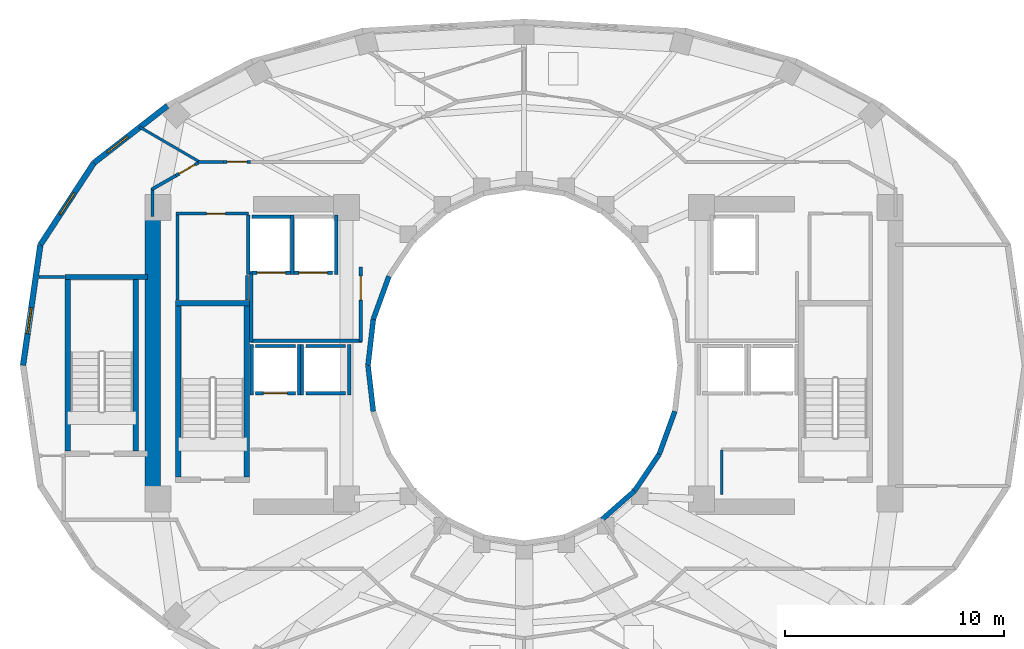
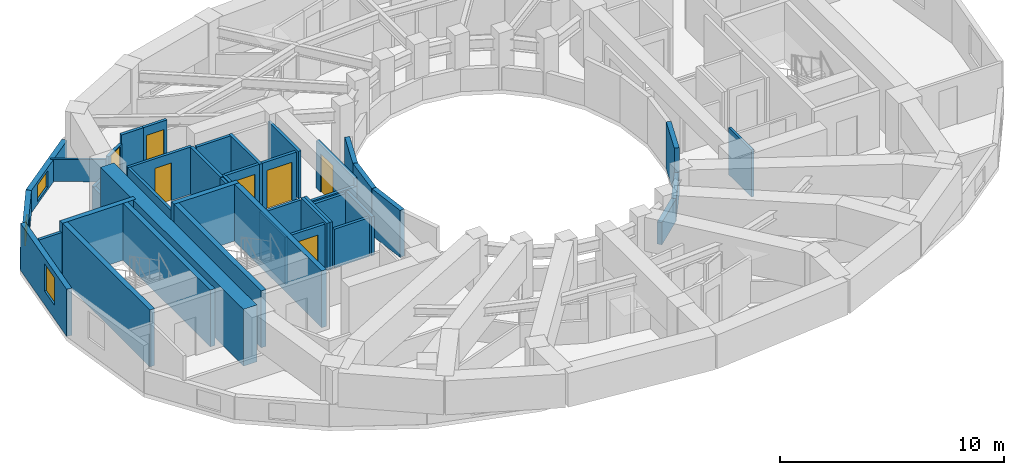
# One storey, part 4 of 9: 44 walls, 7 doors, 3 windows, 10 openings.
"""IFC4 building model written with IfcOpenShell, lengths in metres."""

from ifc_helpers import new_model, si_unit, direction, frame, frame_2d, origin, place, context, subcontext, project, spatial, rectangle, extrude, material, layer, layer_set, type_object, element, fill, save


model = new_model("IFC4")

# Units and contexts
model_context = context("Model", 3, precision=1e-05, world=origin(), true_north=direction((0.0, 1.0)))
body_context = subcontext(model_context, "Body", "Model", "MODEL_VIEW")
ifc_project = project(units=[si_unit("LENGTHUNIT", "METRE"), si_unit("AREAUNIT", "SQUARE_METRE"), si_unit("VOLUMEUNIT", "CUBIC_METRE"), si_unit("PLANEANGLEUNIT", "RADIAN"), si_unit("MASSUNIT", "GRAM", prefix="KILO")], contexts=[model_context])

# Site, building, storey
site_placement = place(None, origin())
site = spatial("IfcSite", under=ifc_project, at=site_placement, CompositionType="ELEMENT")
building_placement = place(site_placement, origin())
building = spatial("IfcBuilding", under=site, at=building_placement, Name="Solvane Sanctuary Tower", CompositionType="ELEMENT")
storey_placement = place(building_placement, frame((0.0, 0.0, 168.39990234375)))
storey = spatial("IfcBuildingStorey", under=building, at=storey_placement, Name="L51", CompositionType="ELEMENT", Elevation=168.39990234375)

# Walls
ifc_material_1 = material(Name="Concrete C60/75", Category="concrete")
ifc_layer_1 = layer(ifc_material_1, 0.699951171875, Name="Concrete C60/75")
ifc_layer_set_1 = layer_set([ifc_layer_1], Name="Concrete C60/75")
wall_type_1 = type_object("IfcWallType", Name="Wall W-CORE-700", PredefinedType="SHEAR", material=ifc_layer_set_1)
wall_1_placement = place(storey_placement, frame((15.050048828125, 17.050048828125, 0.0), z_axis=(0.0, 0.0, 1.0), x_axis=(0.0, 1.0, 0.0)))
element("IfcWall", 1, at=wall_1_placement, inside=storey, type_object=wall_type_1, Name="L51 Core Shear Wall WC-W", PredefinedType="SHEAR", context=body_context, shape_type="SweptSolid", body=[
    extrude(rectangle(XDim=12.800048828125, YDim=0.699951171875, at=frame_2d((6.39990234375, 0.0))), origin(), (0.0, 0.0, 1.0), 3.10009765625),
])
ifc_material_2 = material(Name="Acoustic Gypsum Partition Board")
ifc_layer_2 = layer(ifc_material_2, 0.14990234375, Name="Acoustic Gypsum Partition Board")
ifc_layer_set_2 = layer_set([ifc_layer_2], Name="Acoustic Gypsum Partition Board")
wall_type_2 = type_object("IfcWallType", Name="Wall W-CORR-150", PredefinedType="PARTITIONING", material=ifc_layer_set_2)
wall_2_placement = place(storey_placement, frame((19.52001953125, 24.1201171875, 0.0), z_axis=(0.0, 0.0, 1.0), x_axis=(1.0, 0.0, 0.0)))
element("IfcWall", 2, at=wall_2_placement, inside=storey, type_object=wall_type_2, Name="L51 West Firefighting Lobby South Wall", PredefinedType="PARTITIONING", context=body_context, shape_type="SweptSolid", body=[
    extrude(rectangle(XDim=5.080078125, YDim=0.14990234375, at=frame_2d((2.5400390625, 0.0))), origin(), (0.0, 0.0, 1.0), 2.1201171875),
])
wall_3_placement = place(storey_placement, frame((19.550048828125, 24.080078125, 0.0), z_axis=(0.0, 0.0, 1.0), x_axis=(0.0, 1.0, 0.0)))
element("IfcWall", 3, at=wall_3_placement, inside=storey, type_object=wall_type_2, Name="L51 West Firefighting Lobby West Wall", PredefinedType="PARTITIONING", context=body_context, shape_type="SweptSolid", body=[
    extrude(rectangle(XDim=3.199951171875, YDim=0.14990234375, at=frame_2d((1.60009765625, 0.0))), origin(), (0.0, 0.0, 1.0), 2.5751953125),
])

# Wall, opening, door
wall_4_placement = place(storey_placement, frame((24.550048828125, 24.080078125, 0.0), z_axis=(0.0, 0.0, 1.0), x_axis=(0.0, 1.0, 0.0)))
wall_4 = element("IfcWall", 4, at=wall_4_placement, inside=storey, type_object=wall_type_2, Name="L51 West Firefighting Lobby East Wall", PredefinedType="PARTITIONING", context=body_context, shape_type="SweptSolid", body=[
    extrude(rectangle(XDim=3.39990234375, YDim=0.14990234375, at=frame_2d((1.699951171875, 0.0))), origin(), (0.0, 0.0, 1.0), 2.5751953125),
])
opening_1_placement = place(wall_4_placement, frame((1.893798828125, 0.0, 0.0)))
opening_1 = element("IfcOpeningElement", 5, at=opening_1_placement, cuts=wall_4, Name="Opening D-L51-04", PredefinedType="OPENING", context=body_context, shape_type="SweptSolid", body=[
    extrude(rectangle(XDim=1.10009765625, YDim=2.10009765625, at=frame_2d((0.550048828125, 1.050048828125))), frame((0.0, 0.0849609375, 0.0), z_axis=(0.0, -1.0, 0.0), x_axis=(1.0, 0.0, 0.0)), (0.0, 0.0, 1.0), 0.169921875),
])
ifc_material_3 = material(Name="Architectural Stainless Steel 316", Category="steel")
door_type_1 = type_object("IfcDoorType", Name="Door D-FFL", OperationType="NOTDEFINED", PredefinedType="DOOR", material=ifc_material_3)
door_1_placement = place(opening_1_placement, origin())
door_1 = element("IfcDoor", 6, at=door_1_placement, inside=storey, type_object=door_type_1, Name="L51 West Firefighting Lobby Fire Door", OperationType="SINGLE_SWING_RIGHT", OverallHeight=2.10009765625, OverallWidth=1.10009765625, PredefinedType="DOOR", context=body_context, shape_type="SweptSolid", body=[
    extrude(rectangle(XDim=1.10009765625, YDim=2.10009765625, at=frame_2d((0.550048828125, 1.050048828125))), frame((0.0, 0.02490234375, 0.0), z_axis=(0.0, -1.0, 0.0), x_axis=(1.0, 0.0, 0.0)), (0.0, 0.0, 1.0), 0.050048828125),
])
fill(opening_1, door_1)

# Walls
wall_5_placement = place(storey_placement, frame((9.869873046875, 27.030029296875, 0.0), z_axis=(0.0, 0.0, 1.0), x_axis=(1.0, 0.0, 0.0)))
element("IfcWall", 7, at=wall_5_placement, inside=storey, type_object=wall_type_2, Name="L51 NW Corner Closer 1", PredefinedType="PARTITIONING", context=body_context, shape_type="SweptSolid", body=[
    extrude(rectangle(XDim=1.170166015625, YDim=0.14990234375, at=frame_2d((0.5849609375, 0.0))), origin(), (0.0, 0.0, 1.0), 2.5751953125),
])
wall_6_placement = place(storey_placement, frame((15.050048828125, 29.800048828125, 0.0), z_axis=(0.0, 0.0, 1.0), x_axis=(0.0, 1.0, 0.0)))
element("IfcWall", 8, at=wall_6_placement, inside=storey, type_object=wall_type_2, Name="L51 NW Corner Closer 2", PredefinedType="PARTITIONING", context=body_context, shape_type="SweptSolid", body=[
    extrude(rectangle(XDim=1.2900390625, YDim=0.14990234375, at=frame_2d((0.64501953125, 0.0))), origin(), (0.0, 0.0, 1.0), 1.22021484375),
])
wall_7_placement = place(storey_placement, frame((17.14990234375, 32.280029296875, 0.0), z_axis=(0.0, 0.0, 1.0), x_axis=(1.0, 0.0, 0.0)))
element("IfcWall", 9, at=wall_7_placement, inside=storey, type_object=wall_type_2, Name="L51 NW Corner Corridor Wall", PredefinedType="PARTITIONING", context=body_context, shape_type="SweptSolid", body=[
    extrude(rectangle(XDim=1.14013671875, YDim=0.14990234375, at=frame_2d((0.570068359375, 0.0))), origin(), (0.0, 0.0, 1.0), 2.5751953125),
])

# Wall, opening, door
wall_8_placement = place(storey_placement, frame((18.2900390625, 32.280029296875, 0.0), z_axis=(0.0, 0.0, 1.0), x_axis=(1.0, 0.0, 0.0)))
wall_8 = element("IfcWall", 10, at=wall_8_placement, inside=storey, type_object=wall_type_2, Name="L51 NW Corner Corridor Wall", PredefinedType="PARTITIONING", context=body_context, shape_type="SweptSolid", body=[
    extrude(rectangle(XDim=1.219970703125, YDim=0.14990234375, at=frame_2d((0.60986328125, 0.0))), origin(), (0.0, 0.0, 1.0), 2.5751953125),
])
opening_2_placement = place(wall_8_placement, frame((0.159912109375, 0.0, 0.0)))
opening_2 = element("IfcOpeningElement", 11, at=opening_2_placement, cuts=wall_8, Name="Opening D-L51-12", PredefinedType="OPENING", context=body_context, shape_type="SweptSolid", body=[
    extrude(rectangle(XDim=0.89990234375, YDim=2.10009765625, at=frame_2d((0.449951171875, 1.050048828125))), frame((0.0, 0.0849609375, 0.0), z_axis=(0.0, -1.0, 0.0), x_axis=(1.0, 0.0, 0.0)), (0.0, 0.0, 1.0), 0.169921875),
])
ifc_material_4 = material(Name="Engineered Tropical Hardwood", Category="wood")
door_type_2 = type_object("IfcDoorType", Name="Door D-WET-900", OperationType="NOTDEFINED", PredefinedType="DOOR", material=ifc_material_4)
door_2_placement = place(opening_2_placement, origin())
door_2 = element("IfcDoor", 12, at=door_2_placement, inside=storey, type_object=door_type_2, Name="L51 NW Corner Salon Door", OperationType="SINGLE_SWING_RIGHT", OverallHeight=2.10009765625, OverallWidth=0.89990234375, PredefinedType="DOOR", context=body_context, shape_type="SweptSolid", body=[
    extrude(rectangle(XDim=0.89990234375, YDim=2.10009765625, at=frame_2d((0.449951171875, 1.050048828125))), frame((0.0, 0.02490234375, 0.0), z_axis=(0.0, -1.0, 0.0), x_axis=(1.0, 0.0, 0.0)), (0.0, 0.0, 1.0), 0.050048828125),
])
fill(opening_2, door_2)

wall_9_placement = place(storey_placement, frame((17.130126953125, 32.239990234375, 0.0), z_axis=(0.0, 0.0, 1.0), x_axis=(-0.867934757977, -0.496678221684, 0.0)))
wall_9 = element("IfcWall", 13, at=wall_9_placement, inside=storey, type_object=wall_type_2, Name="L51 NW Corner Wing Wall", PredefinedType="PARTITIONING", context=body_context, shape_type="SweptSolid", body=[
    extrude(rectangle(XDim=1.169921875, YDim=0.14990234375, at=frame_2d((0.5849609375, 0.0))), origin(), (0.0, 0.0, 1.0), 2.110107421875),
])
opening_3_placement = place(wall_9_placement, frame((0.159912109375, 0.0, 0.0)))
opening_3 = element("IfcOpeningElement", 14, at=opening_3_placement, cuts=wall_9, Name="Opening D-L51-13", PredefinedType="OPENING", context=body_context, shape_type="SweptSolid", body=[
    extrude(rectangle(XDim=0.85009765625, YDim=2.050048828125, at=frame_2d((0.425048828125, 1.02490234375))), frame((0.0, 0.0849609375, 0.0), z_axis=(0.0, -1.0, 0.0), x_axis=(1.0, 0.0, 0.0)), (0.0, 0.0, 1.0), 0.169921875),
])
door_type_3 = type_object("IfcDoorType", Name="Door D-RISER", OperationType="NOTDEFINED", PredefinedType="DOOR", material=ifc_material_3)
door_3_placement = place(opening_3_placement, origin())
door_3 = element("IfcDoor", 15, at=door_3_placement, inside=storey, type_object=door_type_3, Name="L51 NW Corner Suite Door", OperationType="SINGLE_SWING_LEFT", OverallHeight=2.050048828125, OverallWidth=0.85009765625, PredefinedType="DOOR", context=body_context, shape_type="SweptSolid", body=[
    extrude(rectangle(XDim=0.85009765625, YDim=2.050048828125, at=frame_2d((0.425048828125, 1.02490234375))), frame((0.0, 0.02490234375, 0.0), z_axis=(0.0, -1.0, 0.0), x_axis=(1.0, 0.0, 0.0)), (0.0, 0.0, 1.0), 0.050048828125),
])
fill(opening_3, door_3)

# Wall
wall_10_placement = place(storey_placement, frame((16.11474609375, 31.658935546875, 0.0), z_axis=(0.0, 0.0, 1.0), x_axis=(-0.868005797727, -0.496554060614, 0.0)))
element("IfcWall", 16, at=wall_10_placement, inside=storey, type_object=wall_type_2, Name="L51 NW Corner Wing Wall", PredefinedType="PARTITIONING", context=body_context, shape_type="SweptSolid", body=[
    extrude(rectangle(XDim=1.2666015625, YDim=0.14990234375, at=frame_2d((0.63330078125, 0.0))), origin(), (0.0, 0.0, 1.0), 1.22021484375),
])

# Wall, opening, window
ifc_material_5 = material(Name="Precast concrete C40/50", Category="concrete")
ifc_layer_3 = layer(ifc_material_5, 0.260009765625, Name="Precast concrete C40/50")
ifc_layer_set_3 = layer_set([ifc_layer_3], Name="Precast concrete C40/50")
wall_type_3 = type_object("IfcWallType", Name="Wall W-EXT-250", PredefinedType="STANDARD", material=ifc_layer_set_3)
wall_11_placement = place(storey_placement, frame((15.730712890625, 34.841552734375, 0.0), z_axis=(0.0, 0.0, 1.0), x_axis=(-0.790185650662, -0.612867552973, 0.0)))
wall_11 = element("IfcWall", 17, at=wall_11_placement, inside=storey, type_object=wall_type_3, Name="L51 Ceramic-Printed Facade Wall 09", PredefinedType="STANDARD", context=body_context, shape_type="SweptSolid", body=[
    extrude(rectangle(XDim=4.2392578125, YDim=0.260009765625, at=frame_2d((2.11962890625, 0.0))), origin(), (0.0, 0.0, 1.0), 1.22021484375),
])
opening_4_placement = place(wall_11_placement, frame((2.290283203125, 0.0, 0.14990234375)))
opening_4 = element("IfcOpeningElement", 18, at=opening_4_placement, cuts=wall_11, Name="Opening WN-OPER-1200", PredefinedType="OPENING", context=body_context, shape_type="SweptSolid", body=[
    extrude(rectangle(XDim=1.199951171875, YDim=0.89990234375, at=frame_2d((0.60009765625, 0.449951171875))), frame((0.0, 0.139892578125, 0.0), z_axis=(0.0, -1.0, 0.0), x_axis=(1.0, 0.0, 0.0)), (0.0, 0.0, 1.0), 0.280029296875),
])
ifc_material_6 = material(Name="Dark Ceramic-Fritted Low-E Glass", Category="glass")
window_type = type_object("IfcWindowType", Name="Window WN-OPER-1200", PartitioningType="SINGLE_PANEL", PredefinedType="WINDOW", material=ifc_material_6)
window_1_placement = place(opening_4_placement, origin())
window_1 = element("IfcWindow", 19, at=window_1_placement, inside=storey, type_object=window_type, Name="L51 Operable Facade Window 09", OverallHeight=0.89990234375, OverallWidth=1.199951171875, PartitioningType="SINGLE_PANEL", PredefinedType="WINDOW", context=body_context, shape_type="SweptSolid", body=[
    extrude(rectangle(XDim=1.199951171875, YDim=0.89990234375, at=frame_2d((0.60009765625, 0.449951171875))), frame((0.0, 0.030029296875, 0.0), z_axis=(0.0, -1.0, 0.0), x_axis=(1.0, 0.0, 0.0)), (0.0, 0.0, 1.0), 0.06005859375),
])
fill(opening_4, window_1)

wall_12_placement = place(storey_placement, frame((12.380859375, 32.243408203125, 0.0), z_axis=(0.0, 0.0, 1.0), x_axis=(-0.547456494366, -0.836834145322, 0.0)))
wall_12 = element("IfcWall", 20, at=wall_12_placement, inside=storey, type_object=wall_type_3, Name="L51 Ceramic-Printed Facade Wall 10", PredefinedType="STANDARD", context=body_context, shape_type="SweptSolid", body=[
    extrude(rectangle(XDim=4.477294921875, YDim=0.260009765625, at=frame_2d((2.23876953125, 0.0))), origin(), (0.0, 0.0, 1.0), 1.22021484375),
])
opening_5_placement = place(wall_12_placement, frame((1.638671875, 0.0, 0.14990234375)))
opening_5 = element("IfcOpeningElement", 21, at=opening_5_placement, cuts=wall_12, Name="Opening WN-OPER-1200", PredefinedType="OPENING", context=body_context, shape_type="SweptSolid", body=[
    extrude(rectangle(XDim=1.199951171875, YDim=0.89990234375, at=frame_2d((0.60009765625, 0.449951171875))), frame((0.0, 0.139892578125, 0.0), z_axis=(0.0, -1.0, 0.0), x_axis=(1.0, 0.0, 0.0)), (0.0, 0.0, 1.0), 0.280029296875),
])
window_2_placement = place(opening_5_placement, origin())
window_2 = element("IfcWindow", 22, at=window_2_placement, inside=storey, type_object=window_type, Name="L51 Operable Facade Window 10", OverallHeight=0.89990234375, OverallWidth=1.199951171875, PartitioningType="SINGLE_PANEL", PredefinedType="WINDOW", context=body_context, shape_type="SweptSolid", body=[
    extrude(rectangle(XDim=1.199951171875, YDim=0.89990234375, at=frame_2d((0.60009765625, 0.449951171875))), frame((0.0, 0.030029296875, 0.0), z_axis=(0.0, -1.0, 0.0), x_axis=(1.0, 0.0, 0.0)), (0.0, 0.0, 1.0), 0.06005859375),
])
fill(opening_5, window_2)

wall_13_placement = place(storey_placement, frame((9.9296875, 28.49658203125, 0.0), z_axis=(0.0, 0.0, 1.0), x_axis=(-0.142227632286, -0.989833976288, 0.0)))
wall_13 = element("IfcWall", 23, at=wall_13_placement, inside=storey, type_object=wall_type_3, Name="L51 Ceramic-Printed Facade Wall 11", PredefinedType="STANDARD", context=body_context, shape_type="SweptSolid", body=[
    extrude(rectangle(XDim=5.552978515625, YDim=0.260009765625, at=frame_2d((2.7763671875, 0.0))), origin(), (0.0, 0.0, 1.0), 2.570068359375),
])
opening_6_placement = place(wall_13_placement, frame((2.892333984375, 0.0, 0.75)))
opening_6 = element("IfcOpeningElement", 24, at=opening_6_placement, cuts=wall_13, Name="Opening WN-OPER-1200", PredefinedType="OPENING", context=body_context, shape_type="SweptSolid", body=[
    extrude(rectangle(XDim=1.199951171875, YDim=1.5, at=frame_2d((0.60009765625, 0.75))), frame((0.0, 0.139892578125, 0.0), z_axis=(0.0, -1.0, 0.0), x_axis=(1.0, 0.0, 0.0)), (0.0, 0.0, 1.0), 0.280029296875),
])
window_3_placement = place(opening_6_placement, origin())
window_3 = element("IfcWindow", 25, at=window_3_placement, inside=storey, type_object=window_type, Name="L51 Operable Facade Window 11", OverallHeight=1.5, OverallWidth=1.199951171875, PartitioningType="SINGLE_PANEL", PredefinedType="WINDOW", context=body_context, shape_type="SweptSolid", body=[
    extrude(rectangle(XDim=1.199951171875, YDim=1.5, at=frame_2d((0.60009765625, 0.75))), frame((0.0, 0.030029296875, 0.0), z_axis=(0.0, -1.0, 0.0), x_axis=(1.0, 0.0, 0.0)), (0.0, 0.0, 1.0), 0.06005859375),
])
fill(opening_6, window_3)

# Walls
ifc_layer_4 = layer(ifc_material_5, 0.22998046875, Name="Precast concrete C40/50")
ifc_layer_set_4 = layer_set([ifc_layer_4], Name="Precast concrete C40/50")
wall_type_4 = type_object("IfcWallType", Name="Wall W-EXT-SP220", PredefinedType="STANDARD", material=ifc_layer_set_4)
wall_14_placement = place(storey_placement, frame((25.833984375, 27.06005859375, 0.0), z_axis=(0.0, 0.0, 1.0), x_axis=(-0.341423187295, -0.93990968033, 0.0)))
element("IfcWall", 26, at=wall_14_placement, inside=storey, type_object=wall_type_4, Name="L51 Central Light-Well Wall 10", PredefinedType="STANDARD", context=body_context, shape_type="SweptSolid", body=[
    extrude(rectangle(XDim=2.083740234375, YDim=0.22998046875, at=frame_2d((1.0419921875, 0.0))), origin(), (0.0, 0.0, 1.0), 2.56005859375),
])
for number, where, z_axis, x_axis, name in (
    (27, (25.12255859375, 25.1015625, 0.0), (0.0, 0.0, 1.0), (-0.114711713601, -0.993398823617, 0.0), "L51 Central Light-Well Wall 11"),
    (28, (24.8798828125, 23.0, 0.0), (0.0, 0.0, 1.0), (0.114711713601, -0.993398823617, 0.0), "L51 Central Light-Well Wall 12"),
):
    element("IfcWall", number, at=place(storey_placement, frame(where, z_axis=z_axis, x_axis=x_axis)), inside=storey, type_object=wall_type_4, Name=name, PredefinedType="STANDARD", context=body_context, shape_type="SweptSolid", body=[
        extrude(rectangle(XDim=2.115478515625, YDim=0.22998046875, at=frame_2d((1.0576171875, 0.0))), origin(), (0.0, 0.0, 1.0), 2.56005859375),
    ])
wall_15_placement = place(storey_placement, frame((35.56005859375, 15.968017578125, 0.0), z_axis=(0.0, 0.0, 1.0), x_axis=(0.752576694707, 0.658504607869, 0.0)))
element("IfcWall", 29, at=wall_15_placement, inside=storey, type_object=wall_type_4, Name="L51 Central Light-Well Wall 20", PredefinedType="STANDARD", context=body_context, shape_type="SweptSolid", body=[
    extrude(rectangle(XDim=1.95947265625, YDim=0.22998046875, at=frame_2d((0.979736328125, 0.0))), origin(), (0.0, 0.0, 1.0), 1.22021484375),
])
wall_16_placement = place(storey_placement, frame((37.03466796875, 17.25830078125, 0.0), z_axis=(0.0, 0.0, 1.0), x_axis=(0.558197800898, 0.829707909492, 0.0)))
element("IfcWall", 30, at=wall_16_placement, inside=storey, type_object=wall_type_4, Name="L51 Central Light-Well Wall 21", PredefinedType="STANDARD", context=body_context, shape_type="SweptSolid", body=[
    extrude(rectangle(XDim=2.02685546875, YDim=0.22998046875, at=frame_2d((1.013427734375, 0.0))), origin(), (0.0, 0.0, 1.0), 1.22021484375),
])
wall_17_placement = place(storey_placement, frame((38.166015625, 18.93994140625, 0.0), z_axis=(0.0, 0.0, 1.0), x_axis=(0.341423187295, 0.93990968033, 0.0)))
element("IfcWall", 31, at=wall_17_placement, inside=storey, type_object=wall_type_4, Name="L51 Central Light-Well Wall 22", PredefinedType="STANDARD", context=body_context, shape_type="SweptSolid", body=[
    extrude(rectangle(XDim=2.083740234375, YDim=0.22998046875, at=frame_2d((1.0419921875, 0.0))), origin(), (0.0, 0.0, 1.0), 2.56005859375),
])
ifc_layer_5 = layer(ifc_material_2, 0.1201171875, Name="Acoustic Gypsum Partition Board")
ifc_layer_set_5 = layer_set([ifc_layer_5], Name="Acoustic Gypsum Partition Board")
wall_type_5 = type_object("IfcWallType", Name="Wall W-MOV-100", PredefinedType="MOVABLE", material=ifc_layer_set_5)
wall_18_placement = place(storey_placement, frame((17.2431640625, 32.2548828125, 0.0), z_axis=(0.0, 0.0, 1.0), x_axis=(-0.864408655832, 0.502789892224, 0.0)))
element("IfcWall", 32, at=wall_18_placement, inside=storey, type_object=wall_type_5, Name="L51 NW Corner Suite Partition", PredefinedType="MOVABLE", context=body_context, shape_type="SweptSolid", body=[
    extrude(rectangle(XDim=3.23046875, YDim=0.1201171875, at=frame_2d((1.615234375, 0.0))), origin(), (0.0, 0.0, 1.0), 1.22021484375),
])
ifc_layer_6 = layer(ifc_material_2, 0.125, Name="Acoustic Gypsum Partition Board")
ifc_layer_set_6 = layer_set([ifc_layer_6], Name="Acoustic Gypsum Partition Board")
wall_type_6 = type_object("IfcWallType", Name="Wall W-PART-125", PredefinedType="PARTITIONING", material=ifc_layer_set_6)
wall_19_placement = place(storey_placement, frame((41.02001953125, 17.10009765625, 0.0), z_axis=(0.0, 0.0, 1.0), x_axis=(0.0, 1.0, 0.0)))
element("IfcWall", 33, at=wall_19_placement, inside=storey, type_object=wall_type_6, Name="L51 Reclaimed Room Closer Wall PLE-1", PredefinedType="PARTITIONING", context=body_context, shape_type="SweptSolid", body=[
    extrude(rectangle(XDim=2.039794921875, YDim=0.125, at=frame_2d((1.02001953125, 0.0))), origin(), (0.0, 0.0, 1.0), 2.5751953125),
])

# Wall, opening, door
ifc_material_7 = material(Name="Concrete C50/60", Category="concrete")
ifc_layer_7 = layer(ifc_material_7, 0.14990234375, Name="Concrete C50/60")
ifc_layer_set_7 = layer_set([ifc_layer_7], Name="Concrete C50/60")
wall_type_7 = type_object("IfcWallType", Name="Wall W-SHAFT-150", PredefinedType="SOLIDWALL", material=ifc_layer_set_7)
wall_20_placement = place(storey_placement, frame((19.739990234375, 21.719970703125, 0.0), z_axis=(0.0, 0.0, 1.0), x_axis=(1.0, 0.0, 0.0)))
wall_20 = element("IfcWall", 34, at=wall_20_placement, inside=storey, type_object=wall_type_7, Name="L51 PM-1 Lift Shaft Wall F", PredefinedType="SOLIDWALL", context=body_context, shape_type="SweptSolid", body=[
    extrude(rectangle(XDim=1.820068359375, YDim=0.14990234375, at=frame_2d((0.91015625, 0.0))), origin(), (0.0, 0.0, 1.0), 2.5751953125),
])
opening_7_placement = place(wall_20_placement, frame((0.360107421875, 0.0, 0.0)))
opening_7 = element("IfcOpeningElement", 35, at=opening_7_placement, cuts=wall_20, Name="Opening LD-L51-01", PredefinedType="OPENING", context=body_context, shape_type="SweptSolid", body=[
    extrude(rectangle(XDim=1.10009765625, YDim=2.10009765625, at=frame_2d((0.550048828125, 1.050048828125))), frame((0.0, 0.0849609375, 0.0), z_axis=(0.0, -1.0, 0.0), x_axis=(1.0, 0.0, 0.0)), (0.0, 0.0, 1.0), 0.169921875),
])
door_type_4 = type_object("IfcDoorType", Name="Door LD-PASS-1100", OperationType="NOTDEFINED", PredefinedType="DOOR", material=ifc_material_3)
door_4_placement = place(opening_7_placement, origin())
door_4 = element("IfcDoor", 36, at=door_4_placement, inside=storey, type_object=door_type_4, Name="L51 PM-1 Lift Landing Door", OperationType="DOUBLE_DOOR_SLIDING", OverallHeight=2.10009765625, OverallWidth=1.10009765625, PredefinedType="DOOR", context=body_context, shape_type="SweptSolid", body=[
    extrude(rectangle(XDim=1.10009765625, YDim=2.10009765625, at=frame_2d((0.550048828125, 1.050048828125))), frame((0.0, 0.02490234375, 0.0), z_axis=(0.0, -1.0, 0.0), x_axis=(1.0, 0.0, 0.0)), (0.0, 0.0, 1.0), 0.050048828125),
])
fill(opening_7, door_4)

# Walls
wall_21_placement = place(storey_placement, frame((19.739990234375, 23.8798828125, 0.0), z_axis=(0.0, 0.0, 1.0), x_axis=(1.0, 0.0, 0.0)))
element("IfcWall", 37, at=wall_21_placement, inside=storey, type_object=wall_type_7, Name="L51 PM-1 Lift Shaft Wall B", PredefinedType="SOLIDWALL", context=body_context, shape_type="SweptSolid", body=[
    extrude(rectangle(XDim=1.820068359375, YDim=0.14990234375, at=frame_2d((0.91015625, 0.0))), origin(), (0.0, 0.0, 1.0), 2.5751953125),
])
for number, where, z_axis, x_axis, name in (
    (38, (19.570068359375, 21.639892578125, 0.0), (0.0, 0.0, 1.0), (0.0, 1.0, 0.0), "L51 PM-1 Lift Shaft Wall S1"),
    (39, (21.72998046875, 21.639892578125, 0.0), (0.0, 0.0, 1.0), (0.0, 1.0, 0.0), "L51 PM-1 Lift Shaft Wall S2"),
):
    element("IfcWall", number, at=place(storey_placement, frame(where, z_axis=z_axis, x_axis=x_axis)), inside=storey, type_object=wall_type_7, Name=name, PredefinedType="SOLIDWALL", context=body_context, shape_type="SweptSolid", body=[
        extrude(rectangle(XDim=2.320068359375, YDim=0.14990234375, at=frame_2d((1.16015625, 0.0))), origin(), (0.0, 0.0, 1.0), 2.5751953125),
    ])
for number, where, z_axis, x_axis, name in (
    (40, (22.0400390625, 21.719970703125, 0.0), (0.0, 0.0, 1.0), (1.0, 0.0, 0.0), "L51 PH-1 Lift Shaft Wall F"),
    (41, (22.0400390625, 23.8798828125, 0.0), (0.0, 0.0, 1.0), (1.0, 0.0, 0.0), "L51 PH-1 Lift Shaft Wall B"),
):
    element("IfcWall", number, at=place(storey_placement, frame(where, z_axis=z_axis, x_axis=x_axis)), inside=storey, type_object=wall_type_7, Name=name, PredefinedType="SOLIDWALL", context=body_context, shape_type="SweptSolid", body=[
        extrude(rectangle(XDim=1.820068359375, YDim=0.14990234375, at=frame_2d((0.91015625, 0.0))), origin(), (0.0, 0.0, 1.0), 2.1201171875),
    ])
wall_22_placement = place(storey_placement, frame((21.8701171875, 21.639892578125, 0.0), z_axis=(0.0, 0.0, 1.0), x_axis=(0.0, 1.0, 0.0)))
element("IfcWall", 42, at=wall_22_placement, inside=storey, type_object=wall_type_7, Name="L51 PH-1 Lift Shaft Wall S1", PredefinedType="SOLIDWALL", context=body_context, shape_type="SweptSolid", body=[
    extrude(rectangle(XDim=2.320068359375, YDim=0.14990234375, at=frame_2d((1.16015625, 0.0))), origin(), (0.0, 0.0, 1.0), 2.5751953125),
])
wall_23_placement = place(storey_placement, frame((24.030029296875, 21.639892578125, 0.0), z_axis=(0.0, 0.0, 1.0), x_axis=(0.0, 1.0, 0.0)))
element("IfcWall", 43, at=wall_23_placement, inside=storey, type_object=wall_type_7, Name="L51 PH-1 Lift Shaft Wall S2", PredefinedType="SOLIDWALL", context=body_context, shape_type="SweptSolid", body=[
    extrude(rectangle(XDim=2.320068359375, YDim=0.14990234375, at=frame_2d((1.16015625, 0.0))), origin(), (0.0, 0.0, 1.0), 2.1201171875),
])

# Wall, opening, door
wall_24_placement = place(storey_placement, frame((19.590087890625, 27.219970703125, 0.0), z_axis=(0.0, 0.0, 1.0), x_axis=(1.0, 0.0, 0.0)))
wall_24 = element("IfcWall", 44, at=wall_24_placement, inside=storey, type_object=wall_type_7, Name="L51 FFL-1 Lift Shaft Wall F", PredefinedType="SOLIDWALL", context=body_context, shape_type="SweptSolid", body=[
    extrude(rectangle(XDim=1.760009765625, YDim=0.14990234375, at=frame_2d((0.8798828125, 0.0))), origin(), (0.0, 0.0, 1.0), 2.5751953125),
])
opening_8_placement = place(wall_24_placement, frame((0.22998046875, 0.0, 0.0)))
opening_8 = element("IfcOpeningElement", 45, at=opening_8_placement, cuts=wall_24, Name="Opening LD-L51-03", PredefinedType="OPENING", context=body_context, shape_type="SweptSolid", body=[
    extrude(rectangle(XDim=1.300048828125, YDim=2.10009765625, at=frame_2d((0.64990234375, 1.050048828125))), frame((0.0, 0.0849609375, 0.0), z_axis=(0.0, -1.0, 0.0), x_axis=(1.0, 0.0, 0.0)), (0.0, 0.0, 1.0), 0.169921875),
])
door_type_5 = type_object("IfcDoorType", Name="Door LD-FFL-1300", OperationType="NOTDEFINED", PredefinedType="DOOR", material=ifc_material_3)
door_5_placement = place(opening_8_placement, origin())
door_5 = element("IfcDoor", 46, at=door_5_placement, inside=storey, type_object=door_type_5, Name="L51 FFL-1 Lift Landing Door", OperationType="DOUBLE_DOOR_SLIDING", OverallHeight=2.10009765625, OverallWidth=1.300048828125, PredefinedType="DOOR", context=body_context, shape_type="SweptSolid", body=[
    extrude(rectangle(XDim=1.300048828125, YDim=2.10009765625, at=frame_2d((0.64990234375, 1.050048828125))), frame((0.0, 0.02490234375, 0.0), z_axis=(0.0, -1.0, 0.0), x_axis=(1.0, 0.0, 0.0)), (0.0, 0.0, 1.0), 0.050048828125),
])
fill(opening_8, door_5)

# Walls
wall_25_placement = place(storey_placement, frame((19.590087890625, 29.780029296875, 0.0), z_axis=(0.0, 0.0, 1.0), x_axis=(1.0, 0.0, 0.0)))
element("IfcWall", 47, at=wall_25_placement, inside=storey, type_object=wall_type_7, Name="L51 FFL-1 Lift Shaft Wall B", PredefinedType="SOLIDWALL", context=body_context, shape_type="SweptSolid", body=[
    extrude(rectangle(XDim=1.760009765625, YDim=0.14990234375, at=frame_2d((0.8798828125, 0.0))), origin(), (0.0, 0.0, 1.0), 2.5751953125),
])
for number, where, z_axis, x_axis, name in (
    (48, (19.419921875, 27.139892578125, 0.0), (0.0, 0.0, 1.0), (0.0, 1.0, 0.0), "L51 FFL-1 Lift Shaft Wall S1"),
    (49, (21.425048828125, 27.139892578125, 0.0), (0.0, 0.0, 1.0), (0.0, 1.0, 0.0), "L51 FFL-1 Lift Shaft Wall S2"),
):
    element("IfcWall", number, at=place(storey_placement, frame(where, z_axis=z_axis, x_axis=x_axis)), inside=storey, type_object=wall_type_7, Name=name, PredefinedType="SOLIDWALL", context=body_context, shape_type="SweptSolid", body=[
        extrude(rectangle(XDim=2.72021484375, YDim=0.14990234375, at=frame_2d((1.360107421875, 0.0))), origin(), (0.0, 0.0, 1.0), 2.5751953125),
    ])

# Wall, opening, door
wall_26_placement = place(storey_placement, frame((21.5, 27.219970703125, 0.0), z_axis=(0.0, 0.0, 1.0), x_axis=(1.0, 0.0, 0.0)))
wall_26 = element("IfcWall", 50, at=wall_26_placement, inside=storey, type_object=wall_type_7, Name="L51 SVL-1 Lift Shaft Wall F", PredefinedType="SOLIDWALL", context=body_context, shape_type="SweptSolid", body=[
    extrude(rectangle(XDim=1.760009765625, YDim=0.14990234375, at=frame_2d((0.8798828125, 0.0))), origin(), (0.0, 0.0, 1.0), 2.5751953125),
])
opening_9_placement = place(wall_26_placement, frame((0.22998046875, 0.0, 0.0)))
opening_9 = element("IfcOpeningElement", 51, at=opening_9_placement, cuts=wall_26, Name="Opening LD-L51-04", PredefinedType="OPENING", context=body_context, shape_type="SweptSolid", body=[
    extrude(rectangle(XDim=1.300048828125, YDim=2.10009765625, at=frame_2d((0.64990234375, 1.050048828125))), frame((0.0, 0.0849609375, 0.0), z_axis=(0.0, -1.0, 0.0), x_axis=(1.0, 0.0, 0.0)), (0.0, 0.0, 1.0), 0.169921875),
])
door_6_placement = place(opening_9_placement, origin())
door_6 = element("IfcDoor", 52, at=door_6_placement, inside=storey, type_object=door_type_5, Name="L51 SVL-1 Lift Landing Door", OperationType="DOUBLE_DOOR_SLIDING", OverallHeight=2.10009765625, OverallWidth=1.300048828125, PredefinedType="DOOR", context=body_context, shape_type="SweptSolid", body=[
    extrude(rectangle(XDim=1.300048828125, YDim=2.10009765625, at=frame_2d((0.64990234375, 1.050048828125))), frame((0.0, 0.02490234375, 0.0), z_axis=(0.0, -1.0, 0.0), x_axis=(1.0, 0.0, 0.0)), (0.0, 0.0, 1.0), 0.050048828125),
])
fill(opening_9, door_6)

# Walls
wall_27_placement = place(storey_placement, frame((23.429931640625, 27.139892578125, 0.0), z_axis=(0.0, 0.0, 1.0), x_axis=(0.0, 1.0, 0.0)))
element("IfcWall", 53, at=wall_27_placement, inside=storey, type_object=wall_type_7, Name="L51 SVL-1 Lift Shaft Wall S2", PredefinedType="SOLIDWALL", context=body_context, shape_type="SweptSolid", body=[
    extrude(rectangle(XDim=2.72021484375, YDim=0.14990234375, at=frame_2d((1.360107421875, 0.0))), origin(), (0.0, 0.0, 1.0), 2.5751953125),
])
ifc_layer_8 = layer(ifc_material_7, 0.25, Name="Concrete C50/60")
ifc_layer_set_8 = layer_set([ifc_layer_8], Name="Concrete C50/60")
wall_type_8 = type_object("IfcWallType", Name="Wall W-SHAFT-250", PredefinedType="SOLIDWALL", material=ifc_layer_set_8)
wall_28_placement = place(storey_placement, frame((16.10498046875, 25.830078125, 0.0), z_axis=(0.0, 0.0, 1.0), x_axis=(1.0, 0.0, 0.0)))
element("IfcWall", 54, at=wall_28_placement, inside=storey, type_object=wall_type_8, Name="L51 ST-1 Load-Bearing Shaft Wall N", PredefinedType="SOLIDWALL", context=body_context, shape_type="SweptSolid", body=[
    extrude(rectangle(XDim=3.3701171875, YDim=0.25, at=frame_2d((1.68505859375, 0.0))), origin(), (0.0, 0.0, 1.0), 3.10009765625),
])
for number, where, z_axis, x_axis, name in (
    (55, (16.22998046875, 17.89501953125, 0.0), (0.0, 0.0, 1.0), (0.0, 1.0, 0.0), "L51 ST-1 Load-Bearing Shaft Wall W"),
    (56, (19.35009765625, 17.89501953125, 0.0), (0.0, 0.0, 1.0), (0.0, 1.0, 0.0), "L51 ST-1 Load-Bearing Shaft Wall E"),
):
    element("IfcWall", number, at=place(storey_placement, frame(where, z_axis=z_axis, x_axis=x_axis)), inside=storey, type_object=wall_type_8, Name=name, PredefinedType="SOLIDWALL", context=body_context, shape_type="SweptSolid", body=[
        extrude(rectangle(XDim=7.81005859375, YDim=0.25, at=frame_2d((3.905029296875, 0.0))), origin(), (0.0, 0.0, 1.0), 3.10009765625),
    ])
wall_29_placement = place(storey_placement, frame((11.044921875, 27.030029296875, 0.0), z_axis=(0.0, 0.0, 1.0), x_axis=(1.0, 0.0, 0.0)))
element("IfcWall", 57, at=wall_29_placement, inside=storey, type_object=wall_type_8, Name="L51 ST-3 Load-Bearing Shaft Wall N", PredefinedType="SOLIDWALL", context=body_context, shape_type="SweptSolid", body=[
    extrude(rectangle(XDim=3.781982421875, YDim=0.25, at=frame_2d((1.89111328125, 0.0))), origin(), (0.0, 0.0, 1.0), 3.10009765625),
])
for number, where, z_axis, x_axis, name in (
    (58, (11.169921875, 19.094970703125, 0.0), (0.0, 0.0, 1.0), (0.0, 1.0, 0.0), "L51 ST-3 Load-Bearing Shaft Wall W"),
    (59, (14.2900390625, 19.094970703125, 0.0), (0.0, 0.0, 1.0), (0.0, 1.0, 0.0), "L51 ST-3 Load-Bearing Shaft Wall E"),
):
    element("IfcWall", number, at=place(storey_placement, frame(where, z_axis=z_axis, x_axis=x_axis)), inside=storey, type_object=wall_type_8, Name=name, PredefinedType="SOLIDWALL", context=body_context, shape_type="SweptSolid", body=[
        extrude(rectangle(XDim=7.81005859375, YDim=0.25, at=frame_2d((3.905029296875, 0.0))), origin(), (0.0, 0.0, 1.0), 3.10009765625),
    ])

# Wall, opening, door
ifc_layer_9 = layer(ifc_material_2, 0.139892578125, Name="Acoustic Gypsum Partition Board")
ifc_layer_set_9 = layer_set([ifc_layer_9], Name="Acoustic Gypsum Partition Board")
wall_type_9 = type_object("IfcWallType", Name="Wall W-WET-140", PredefinedType="PLUMBINGWALL", material=ifc_layer_set_9)
wall_30_placement = place(storey_placement, frame((16.1201171875, 29.919921875, 0.0), z_axis=(0.0, 0.0, 1.0), x_axis=(1.0, 0.0, 0.0)))
wall_30 = element("IfcWall", 60, at=wall_30_placement, inside=storey, type_object=wall_type_9, Name="L51 Core Service Front Wall KW0", PredefinedType="PLUMBINGWALL", context=body_context, shape_type="SweptSolid", body=[
    extrude(rectangle(XDim=3.2998046875, YDim=0.139892578125, at=frame_2d((1.64990234375, 0.0))), origin(), (0.0, 0.0, 1.0), 2.5751953125),
])
opening_10_placement = place(wall_30_placement, frame((1.3994140625, 0.0, 0.0)))
opening_10 = element("IfcOpeningElement", 61, at=opening_10_placement, cuts=wall_30, Name="Opening D-L51-08", PredefinedType="OPENING", context=body_context, shape_type="SweptSolid", body=[
    extrude(rectangle(XDim=0.85009765625, YDim=2.050048828125, at=frame_2d((0.425048828125, 1.02490234375))), frame((0.0, 0.079833984375, 0.0), z_axis=(0.0, -1.0, 0.0), x_axis=(1.0, 0.0, 0.0)), (0.0, 0.0, 1.0), 0.159912109375),
])
door_7_placement = place(opening_10_placement, origin())
door_7 = element("IfcDoor", 62, at=door_7_placement, inside=storey, type_object=door_type_3, Name="L51 Core Service Room Door KW0-1", OperationType="SINGLE_SWING_RIGHT", OverallHeight=2.050048828125, OverallWidth=0.85009765625, PredefinedType="DOOR", context=body_context, shape_type="SweptSolid", body=[
    extrude(rectangle(XDim=0.85009765625, YDim=2.050048828125, at=frame_2d((0.425048828125, 1.02490234375))), frame((0.0, 0.02490234375, 0.0), z_axis=(0.0, -1.0, 0.0), x_axis=(1.0, 0.0, 0.0)), (0.0, 0.0, 1.0), 0.050048828125),
])
fill(opening_10, door_7)

# Walls
wall_31_placement = place(storey_placement, frame((16.179931640625, 25.97998046875, 0.0), z_axis=(0.0, 0.0, 1.0), x_axis=(0.0, 1.0, 0.0)))
element("IfcWall", 63, at=wall_31_placement, inside=storey, type_object=wall_type_9, Name="L51 Core Service Side Wall KW0-1", PredefinedType="PLUMBINGWALL", context=body_context, shape_type="SweptSolid", body=[
    extrude(rectangle(XDim=3.880126953125, YDim=0.139892578125, at=frame_2d((1.93994140625, 0.0))), origin(), (0.0, 0.0, 1.0), 2.5751953125),
])
wall_32_placement = place(storey_placement, frame((19.360107421875, 25.97998046875, 0.0), z_axis=(0.0, 0.0, 1.0), x_axis=(0.0, 1.0, 0.0)))
element("IfcWall", 64, at=wall_32_placement, inside=storey, type_object=wall_type_9, Name="L51 Core Service Side Wall KW0-2", PredefinedType="PLUMBINGWALL", context=body_context, shape_type="SweptSolid", body=[
    extrude(rectangle(XDim=1.1201171875, YDim=0.139892578125, at=frame_2d((0.56005859375, 0.0))), origin(), (0.0, 0.0, 1.0), 2.5751953125),
])

save(model, "model.ifc")
